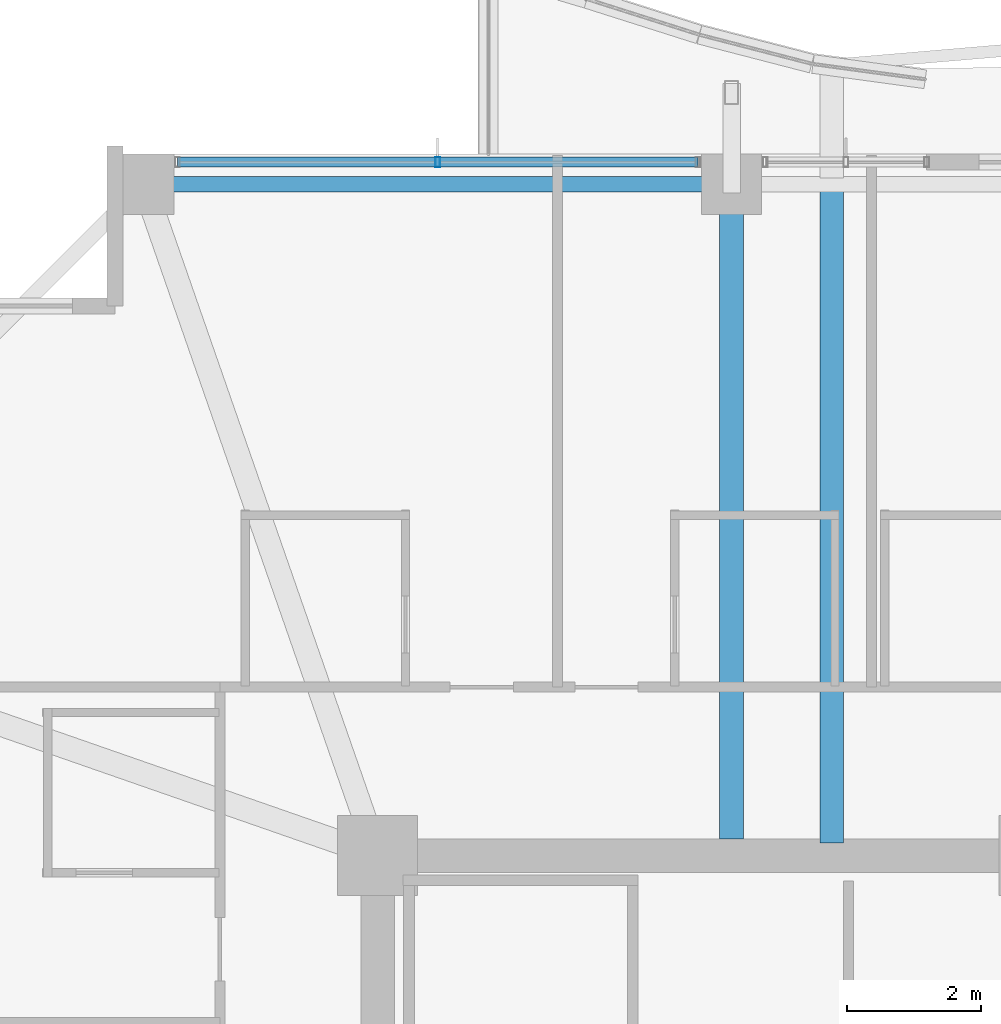
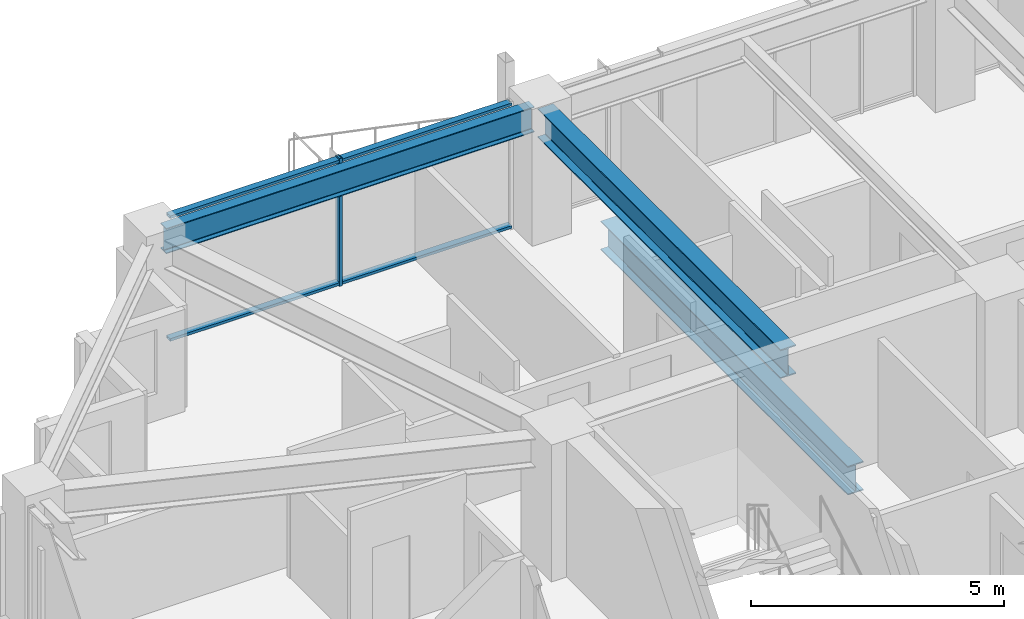
# One storey, part 18 of 37: 3 beams, 3 members, 1 element without a shape of its own.
"""IFC4 building model written with IfcOpenShell, lengths in metres."""

from ifc_helpers import new_model, si_unit, direction, frame, origin, origin_2d, place, context, subcontext, project, spatial, hollow_rectangle, i_section, extrude, material, material_profile, profile_set, type_object, element, aggregate, save


model = new_model("IFC4")

# Units and contexts
model_context = context("Model", 3, precision=1e-05, world=origin(), true_north=direction((0.0, 1.0)))
body_context = subcontext(model_context, "Body", "Model", "MODEL_VIEW")
ifc_project = project(units=[si_unit("LENGTHUNIT", "METRE"), si_unit("AREAUNIT", "SQUARE_METRE"), si_unit("VOLUMEUNIT", "CUBIC_METRE"), si_unit("PLANEANGLEUNIT", "RADIAN"), si_unit("MASSUNIT", "GRAM", prefix="KILO")], contexts=[model_context])

# Site, building, storey
site_placement = place(None, origin())
site = spatial("IfcSite", under=ifc_project, at=site_placement, CompositionType="ELEMENT")
building_placement = place(site_placement, origin())
building = spatial("IfcBuilding", under=site, at=building_placement, Name="Kolvaren Belvedere", CompositionType="ELEMENT")
storey_placement = place(building_placement, frame((0.0, 0.0, 180.0)))
storey = spatial("IfcBuildingStorey", under=building, at=storey_placement, Name="L52", CompositionType="ELEMENT", Elevation=180.0)

# Beams
ifc_material_1 = material(Name="Structural steel ASTM A992 Grade 50", Category="steel")
ifc_material_profile_1 = material_profile(ifc_material_1, i_section(OverallWidth=0.35498046875, OverallDepth=0.696044921875, WebThickness=0.015380859375, FlangeThickness=0.02490234375, FilletRadius=0.02197265625, at=origin_2d()), Name="W27X146")
ifc_profile_set_1 = profile_set([ifc_material_profile_1], Name="Structural steel ASTM A992 Grade 50")
beam_type_1 = type_object("IfcBeamType", Name="BM-GIRD-W27X146", PredefinedType="BEAM", material=ifc_profile_set_1)
beam_1_placement = place(storey_placement, frame((-3.10009765625, 10.090087890625, -0.568115234375), z_axis=(0.0, 1.0, 0.0), x_axis=(-1.0, 0.0, 0.0)))
element("IfcBeam", 1, at=beam_1_placement, inside=storey, type_object=beam_type_1, Name="L52 Balcony Interior Back-Span Girder BAL-N-1", PredefinedType="BEAM", context=body_context, shape_type="SweptSolid", body=[
    extrude(i_section(OverallWidth=0.35498046875, OverallDepth=0.696044921875, WebThickness=0.015380859375, FlangeThickness=0.02490234375, FilletRadius=0.02197265625, at=origin_2d()), origin(), (0.0, 0.0, 1.0), 9.764892578125),
])
beam_2_placement = place(storey_placement, frame((-4.60009765625, 10.14990234375, 2.73193359375), z_axis=(0.0, 1.0, 0.0), x_axis=(-1.0, 0.0, 0.0)))
element("IfcBeam", 2, at=beam_2_placement, inside=storey, type_object=beam_type_1, Name="L52 North Radial Girder M", PredefinedType="BEAM", context=body_context, shape_type="SweptSolid", body=[
    extrude(i_section(OverallWidth=0.35498046875, OverallDepth=0.696044921875, WebThickness=0.015380859375, FlangeThickness=0.02490234375, FilletRadius=0.02197265625, at=origin_2d()), origin(), (0.0, 0.0, 1.0), 9.59765625),
])
ifc_material_2 = material(Name="Structural steel ASTM A992 Grade 50", Category="steel")
ifc_material_profile_2 = material_profile(ifc_material_2, i_section(OverallWidth=0.22900390625, OverallDepth=0.612060546875, WebThickness=0.011962890625, FlangeThickness=0.01953125, FilletRadius=0.01806640625, at=origin_2d()), Name="W24X84")
ifc_profile_set_2 = profile_set([ifc_material_profile_2], Name="Structural steel ASTM A992 Grade 50")
beam_type_2 = type_object("IfcBeamType", Name="BM-SPAN-W24X84", PredefinedType="SPANDREL", material=ifc_profile_set_2)
beam_3_placement = place(storey_placement, frame((-4.802490234375, 19.949951171875, 2.77392578125), z_axis=(-1.0, 0.0, 0.0), x_axis=(0.0, -1.0, 0.0)))
element("IfcBeam", 3, at=beam_3_placement, inside=storey, type_object=beam_type_2, Name="L52 Perimeter Spandrel N2-N1", PredefinedType="SPANDREL", context=body_context, shape_type="SweptSolid", body=[
    extrude(i_section(OverallWidth=0.22900390625, OverallDepth=0.612060546875, WebThickness=0.011962890625, FlangeThickness=0.01953125, FilletRadius=0.01806640625, at=origin_2d()), origin(), (0.0, 0.0, 1.0), 8.39501953125),
])

# Curtain wall, members
ifc_material_3 = material(Name="Anodised pale-metal aluminium AA 6063-T6", Category="aluminium")
curtain_wall_type = type_object("IfcCurtainWallType", Name="CW-Z5-HIGH", PredefinedType="NOTDEFINED", material=ifc_material_3)
curtain_wall_placement = place(storey_placement, origin())
curtain_wall = element("IfcCurtainWall", 4, at=curtain_wall_placement, inside=storey, type_object=curtain_wall_type, Name="L52 Unitised Curtain Wall FCW-L52-N1-B1", PredefinedType="NOTDEFINED")
ifc_material_4 = material(Name="Anodised pale-metal aluminium AA 6063-T6", Category="aluminium")
ifc_material_profile_3 = material_profile(ifc_material_4, hollow_rectangle(XDim=0.070068359375, YDim=0.14990234375, WallThickness=0.004150390625, at=origin_2d()), Name="ALU-MUL-150X70")
ifc_profile_set_3 = profile_set([ifc_material_profile_3], Name="Anodised pale-metal aluminium AA 6063-T6")
member_type_1 = type_object("IfcMemberType", Name="CW-MUL-150", PredefinedType="MULLION", material=ifc_profile_set_3)
member_1_placement = place(storey_placement, frame((-9.0, 20.280029296875, 0.0), z_axis=(0.0, 0.0, 1.0), x_axis=(1.0, 0.0, 0.0)))
member_1 = element("IfcMember", 5, at=member_1_placement, type_object=member_type_1, Name="FCW-L52-N1-B1 Unitised Mullion 2", PredefinedType="MULLION", context=body_context, shape_type="SweptSolid", body=[
    extrude(hollow_rectangle(XDim=0.070068359375, YDim=0.14990234375, WallThickness=0.004150390625, at=origin_2d()), origin(), (0.0, 0.0, 1.0), 3.080078125),
])
ifc_material_5 = material(Name="Anodised pale-metal aluminium AA 6063-T6", Category="aluminium")
ifc_material_profile_4 = material_profile(ifc_material_5, hollow_rectangle(XDim=0.06494140625, YDim=0.14990234375, WallThickness=0.00390625, at=origin_2d()), Name="ALU-TRN-150X65")
ifc_profile_set_4 = profile_set([ifc_material_profile_4], Name="Anodised pale-metal aluminium AA 6063-T6")
member_type_2 = type_object("IfcMemberType", Name="CW-TRN-150", PredefinedType="USERDEFINED", material=ifc_profile_set_4)
member_2_placement = place(storey_placement, frame((-12.89501953125, 20.280029296875, 0.06005859375), z_axis=(1.0, 0.0, 0.0), x_axis=(0.0, 0.0, 1.0)))
member_2 = element("IfcMember", 6, at=member_2_placement, type_object=member_type_2, Name="FCW-L52-N1-B1 Sill Transom", ObjectType="TRANSOM", PredefinedType="USERDEFINED", context=body_context, shape_type="SweptSolid", body=[
    extrude(hollow_rectangle(XDim=0.06494140625, YDim=0.14990234375, WallThickness=0.00390625, at=origin_2d()), origin(), (0.0, 0.0, 1.0), 7.7900390625),
])
member_3_placement = place(storey_placement, frame((-12.89501953125, 20.280029296875, 3.02001953125), z_axis=(1.0, 0.0, 0.0), x_axis=(0.0, 0.0, 1.0)))
member_3 = element("IfcMember", 7, at=member_3_placement, type_object=member_type_2, Name="FCW-L52-N1-B1 Head Transom", ObjectType="TRANSOM", PredefinedType="USERDEFINED", context=body_context, shape_type="SweptSolid", body=[
    extrude(hollow_rectangle(XDim=0.06494140625, YDim=0.14990234375, WallThickness=0.00390625, at=origin_2d()), origin(), (0.0, 0.0, 1.0), 7.7900390625),
])
aggregate(curtain_wall, [member_1, member_2, member_3])

save(model, "model.ifc")
